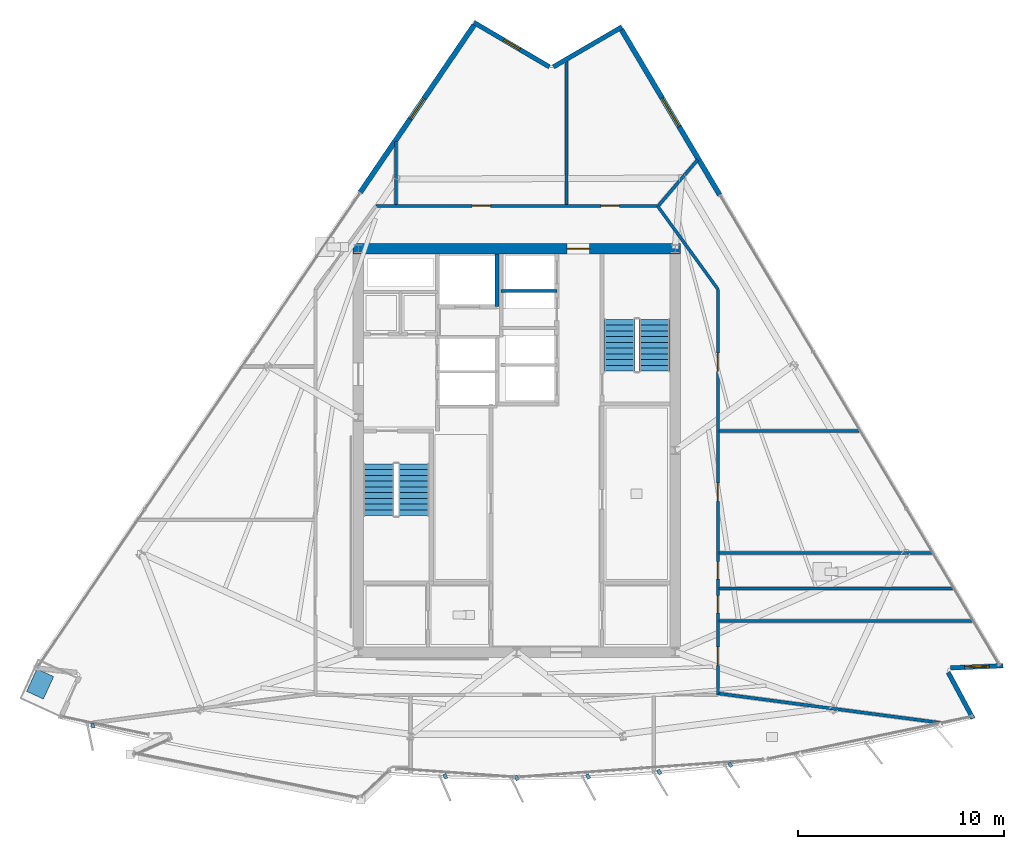
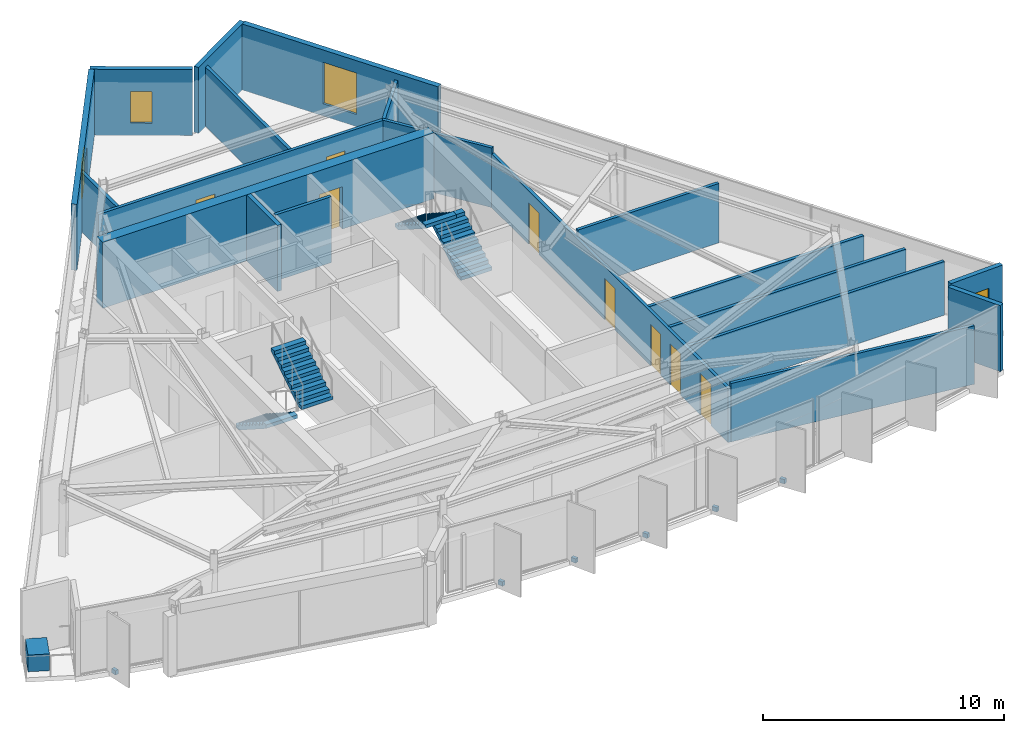
# One storey, part 8 of 13: 20 walls, 8 doors, 7 discrete accessories, 4 stair flights, 4 windows, 12 openings, 2 elements without a shape of their own.
"""IFC4 building model written with IfcOpenShell, lengths in metres."""

from ifc_helpers import new_model, si_unit, direction, frame, frame_2d, origin, origin_2d, place, context, subcontext, project, spatial, polyline, rectangle, outline, extrude, material, layer, layer_set, type_object, element, fill, aggregate, save


model = new_model("IFC4")

# Units and contexts
model_context = context("Model", 3, precision=1e-05, world=origin(), true_north=direction((0.0, 1.0)))
body_context = subcontext(model_context, "Body", "Model", "MODEL_VIEW")
ifc_project = project(units=[si_unit("LENGTHUNIT", "METRE"), si_unit("AREAUNIT", "SQUARE_METRE"), si_unit("VOLUMEUNIT", "CUBIC_METRE"), si_unit("PLANEANGLEUNIT", "RADIAN"), si_unit("MASSUNIT", "GRAM", prefix="KILO")], contexts=[model_context])

# Site, building, storey
site_placement = place(None, origin())
site = spatial("IfcSite", under=ifc_project, at=site_placement, CompositionType="ELEMENT")
building_placement = place(site_placement, origin())
building = spatial("IfcBuilding", under=site, at=building_placement, Name="Savorim Split Tower", CompositionType="ELEMENT")
storey_placement = place(building_placement, frame((0.0, 0.0, 276.0)))
storey = spatial("IfcBuildingStorey", under=building, at=storey_placement, Name="L73", CompositionType="ELEMENT", Elevation=276.0)

# Wall, opening, door
ifc_material_1 = material(Name="Concrete C60/75", Category="concrete")
ifc_layer_1 = layer(ifc_material_1, 0.5)
ifc_layer_set_1 = layer_set([ifc_layer_1], Name="WAL-COR-SH500")
wall_type_1 = type_object("IfcWallType", Name="WAL-COR-SH500", PredefinedType="SHEAR", material=ifc_layer_set_1)
wall_1_placement = place(storey_placement, frame((7.949951171875, 10.199951171875, 0.0), z_axis=(0.0, 0.0, 1.0), x_axis=(-1.0, 0.0, 0.0)))
wall_1 = element("IfcWall", 1, at=wall_1_placement, inside=storey, type_object=wall_type_1, Name="L73 Offset Core North Shear Wall", PredefinedType="SHEAR", context=body_context, shape_type="SweptSolid", body=[
    extrude(rectangle(XDim=15.89990234375, YDim=0.5, at=frame_2d((7.949951171875, 0.0))), origin(), (0.0, 0.0, 1.0), 3.35009765625),
])
opening_1_placement = place(wall_1_placement, frame((4.39990234375, 0.0, 0.0)))
opening_1 = element("IfcOpeningElement", 2, at=opening_1_placement, cuts=wall_1, Name="Opening DI-03", PredefinedType="OPENING", context=body_context, shape_type="SweptSolid", body=[
    extrude(rectangle(XDim=1.10009765625, YDim=2.14990234375, at=frame_2d((0.550048828125, 1.074951171875))), frame((0.0, 0.260009765625, 0.0), z_axis=(0.0, -1.0, 0.0), x_axis=(1.0, 0.0, 0.0)), (0.0, 0.0, 1.0), 0.52001953125),
])
ifc_material_2 = material(Name="Timber Fire Door Leaf", Category="wood")
door_type_1 = type_object("IfcDoorType", Name="DOR-FIR-1100", OperationType="NOTDEFINED", PredefinedType="DOOR", material=ifc_material_2)
door_1_placement = place(opening_1_placement, origin())
door_1 = element("IfcDoor", 3, at=door_1_placement, inside=storey, type_object=door_type_1, Name="DOR-L73-COR-NLOB - L73 North Corridor Lobby Fire Door", OperationType="SINGLE_SWING_RIGHT", OverallHeight=2.14990234375, OverallWidth=1.10009765625, PredefinedType="DOOR", context=body_context, shape_type="SweptSolid", body=[
    extrude(rectangle(XDim=1.10009765625, YDim=2.14990234375, at=frame_2d((0.550048828125, 1.074951171875))), frame((0.0, 0.02490234375, 0.0), z_axis=(0.0, -1.0, 0.0), x_axis=(1.0, 0.0, 0.0)), (0.0, 0.0, 1.0), 0.050048828125),
])
fill(opening_1, door_1)

# Wall
ifc_material_3 = material(Name="Precast concrete C40/50", Category="concrete")
ifc_layer_2 = layer(ifc_material_3, 0.219970703125)
ifc_layer_set_2 = layer_set([ifc_layer_2], Name="WAL-EXT-CRN220")
wall_type_2 = type_object("IfcWallType", Name="WAL-EXT-CRN220", PredefinedType="SOLIDWALL", material=ifc_layer_set_2)
wall_2_placement = place(storey_placement, frame((20.9638671875, -10.380615234375, 0.0), z_axis=(0.0, 0.0, 1.0), x_axis=(0.472728849632, -0.881207940685, 0.0)))
element("IfcWall", 4, at=wall_2_placement, inside=storey, type_object=wall_type_2, Name="L73 Notched Corner Facade Wall SE1", PredefinedType="SOLIDWALL", context=body_context, shape_type="SweptSolid", body=[
    extrude(rectangle(XDim=2.5498046875, YDim=0.219970703125, at=frame_2d((1.27490234375, 0.0))), origin(), (0.0, 0.0, 1.0), 3.35009765625),
])

# Wall, opening, window
wall_3_placement = place(storey_placement, frame((23.630615234375, -10.058837890625, 0.0), z_axis=(0.0, 0.0, 1.0), x_axis=(-0.999098350703, -0.042455690107, 0.0)))
wall_3 = element("IfcWall", 5, at=wall_3_placement, inside=storey, type_object=wall_type_2, Name="L73 Notched Corner Facade Wall SE", PredefinedType="SOLIDWALL", context=body_context, shape_type="SweptSolid", body=[
    extrude(rectangle(XDim=2.54736328125, YDim=0.219970703125, at=frame_2d((1.273681640625, 0.0))), origin(), (0.0, 0.0, 1.0), 3.35009765625),
])
opening_2_placement = place(wall_3_placement, frame((0.673583984375, 0.0, 0.6201171875)))
opening_2 = element("IfcOpeningElement", 6, at=opening_2_placement, cuts=wall_3, Name="Opening WN-08", PredefinedType="OPENING", context=body_context, shape_type="SweptSolid", body=[
    extrude(rectangle(XDim=1.199951171875, YDim=1.800048828125, at=frame_2d((0.60009765625, 0.89990234375))), frame((0.0, 0.119873046875, 0.0), z_axis=(0.0, -1.0, 0.0), x_axis=(1.0, 0.0, 0.0)), (0.0, 0.0, 1.0), 0.239990234375),
])
ifc_material_4 = material(Name="Low-E Operable Double Glazing", Category="glass")
window_type_1 = type_object("IfcWindowType", Name="WIN-TWR-1200x1800", PartitioningType="SINGLE_PANEL", PredefinedType="WINDOW", material=ifc_material_4)
window_1_placement = place(opening_2_placement, origin())
window_1 = element("IfcWindow", 7, at=window_1_placement, inside=storey, type_object=window_type_1, Name="L73 Operable Corner Window SE", OverallHeight=1.800048828125, OverallWidth=1.199951171875, PartitioningType="SINGLE_PANEL", PredefinedType="WINDOW", context=body_context, shape_type="SweptSolid", body=[
    extrude(rectangle(XDim=1.199951171875, YDim=1.800048828125, at=frame_2d((0.60009765625, 0.89990234375))), frame((0.0, 0.030029296875, 0.0), z_axis=(0.0, -1.0, 0.0), x_axis=(1.0, 0.0, 0.0)), (0.0, 0.0, 1.0), 0.06005859375),
])
fill(opening_2, window_1)

# Wall
wall_4_placement = place(storey_placement, frame((1.78271484375, 19.031005859375, 0.0), z_axis=(0.0, 0.0, 1.0), x_axis=(0.863972097652, 0.503539685108, 0.0)))
element("IfcWall", 8, at=wall_4_placement, inside=storey, type_object=wall_type_2, Name="L73 Notched Corner Facade Wall NE1", PredefinedType="SOLIDWALL", context=body_context, shape_type="SweptSolid", body=[
    extrude(rectangle(XDim=3.8486328125, YDim=0.219970703125, at=frame_2d((1.92431640625, 0.0))), origin(), (0.0, 0.0, 1.0), 3.35009765625),
])

# Wall, opening, window
wall_5_placement = place(storey_placement, frame((-2.073974609375, 21.186279296875, 0.0), z_axis=(0.0, 0.0, 1.0), x_axis=(0.862137800155, -0.506673872964, 0.0)))
wall_5 = element("IfcWall", 9, at=wall_5_placement, inside=storey, type_object=wall_type_2, Name="L73 Notched Corner Facade Wall N", PredefinedType="SOLIDWALL", context=body_context, shape_type="SweptSolid", body=[
    extrude(rectangle(XDim=4.252685546875, YDim=0.219970703125, at=frame_2d((2.12646484375, 0.0))), origin(), (0.0, 0.0, 1.0), 3.35009765625),
])
opening_3_placement = place(wall_5_placement, frame((1.676513671875, 0.0, 0.6201171875)))
opening_3 = element("IfcOpeningElement", 10, at=opening_3_placement, cuts=wall_5, Name="Opening WN-10", PredefinedType="OPENING", context=body_context, shape_type="SweptSolid", body=[
    extrude(rectangle(XDim=0.89990234375, YDim=1.60009765625, at=frame_2d((0.449951171875, 0.800048828125))), frame((0.0, 0.119873046875, 0.0), z_axis=(0.0, -1.0, 0.0), x_axis=(1.0, 0.0, 0.0)), (0.0, 0.0, 1.0), 0.239990234375),
])
window_type_2 = type_object("IfcWindowType", Name="WIN-TWR-900x1600", PartitioningType="SINGLE_PANEL", PredefinedType="WINDOW", material=ifc_material_4)
window_2_placement = place(opening_3_placement, origin())
window_2 = element("IfcWindow", 11, at=window_2_placement, inside=storey, type_object=window_type_2, Name="L73 Operable Corner Window N", OverallHeight=1.60009765625, OverallWidth=0.89990234375, PartitioningType="SINGLE_PANEL", PredefinedType="WINDOW", context=body_context, shape_type="SweptSolid", body=[
    extrude(rectangle(XDim=0.89990234375, YDim=1.60009765625, at=frame_2d((0.449951171875, 0.800048828125))), frame((0.0, 0.030029296875, 0.0), z_axis=(0.0, -1.0, 0.0), x_axis=(1.0, 0.0, 0.0)), (0.0, 0.0, 1.0), 0.06005859375),
])
fill(opening_3, window_2)

ifc_layer_3 = layer(ifc_material_3, 0.25)
ifc_layer_set_3 = layer_set([ifc_layer_3], Name="WAL-EXT-SPN250")
wall_type_3 = type_object("IfcWallType", Name="WAL-EXT-SPN250", PredefinedType="SOLIDWALL", material=ifc_layer_set_3)
wall_6_placement = place(storey_placement, frame((5.09130859375, 20.84228515625, 0.0), z_axis=(0.0, 0.0, 1.0), x_axis=(0.511095217069, -0.859524100354, 0.0)))
wall_6 = element("IfcWall", 12, at=wall_6_placement, inside=storey, type_object=wall_type_3, Name="L73 East Operable Window Pier", PredefinedType="SOLIDWALL", context=body_context, shape_type="SweptSolid", body=[
    extrude(rectangle(XDim=9.344482421875, YDim=0.25, at=frame_2d((4.67236328125, 0.0))), origin(), (0.0, 0.0, 1.0), 3.35009765625),
])
opening_4_placement = place(wall_6_placement, frame((3.872314453125, 0.0, 0.6201171875)))
opening_4 = element("IfcOpeningElement", 13, at=opening_4_placement, cuts=wall_6, Name="Opening WN-05", PredefinedType="OPENING", context=body_context, shape_type="SweptSolid", body=[
    extrude(rectangle(XDim=1.60009765625, YDim=2.10009765625, at=frame_2d((0.800048828125, 1.050048828125))), frame((0.0, 0.135009765625, 0.0), z_axis=(0.0, -1.0, 0.0), x_axis=(1.0, 0.0, 0.0)), (0.0, 0.0, 1.0), 0.27001953125),
])
window_type_3 = type_object("IfcWindowType", Name="WIN-TWR-1600x2100", PartitioningType="DOUBLE_PANEL_VERTICAL", PredefinedType="WINDOW", material=ifc_material_4)
window_3_placement = place(opening_4_placement, origin())
window_3 = element("IfcWindow", 14, at=window_3_placement, inside=storey, type_object=window_type_3, Name="L73 East Operable Ventilation Window", OverallHeight=2.10009765625, OverallWidth=1.60009765625, PartitioningType="SINGLE_PANEL", PredefinedType="WINDOW", context=body_context, shape_type="SweptSolid", body=[
    extrude(rectangle(XDim=1.60009765625, YDim=2.10009765625, at=frame_2d((0.800048828125, 1.050048828125))), frame((0.0, 0.030029296875, 0.0), z_axis=(0.0, -1.0, 0.0), x_axis=(1.0, 0.0, 0.0)), (0.0, 0.0, 1.0), 0.06005859375),
])
fill(opening_4, window_3)

wall_7_placement = place(storey_placement, frame((-7.59326171875, 12.944580078125, 0.0), z_axis=(0.0, 0.0, 1.0), x_axis=(0.562476003565, 0.826813609838, 0.0)))
wall_7 = element("IfcWall", 15, at=wall_7_placement, inside=storey, type_object=wall_type_3, Name="L73 West Operable Window Pier", PredefinedType="SOLIDWALL", context=body_context, shape_type="SweptSolid", body=[
    extrude(rectangle(XDim=9.81591796875, YDim=0.25, at=frame_2d((4.907958984375, 0.0))), origin(), (0.0, 0.0, 1.0), 3.35009765625),
])
opening_5_placement = place(wall_7_placement, frame((4.30810546875, 0.0, 0.6201171875)))
opening_5 = element("IfcOpeningElement", 16, at=opening_5_placement, cuts=wall_7, Name="Opening WN-08", PredefinedType="OPENING", context=body_context, shape_type="SweptSolid", body=[
    extrude(rectangle(XDim=1.199951171875, YDim=1.800048828125, at=frame_2d((0.60009765625, 0.89990234375))), frame((0.0, 0.135009765625, 0.0), z_axis=(0.0, -1.0, 0.0), x_axis=(1.0, 0.0, 0.0)), (0.0, 0.0, 1.0), 0.27001953125),
])
window_4_placement = place(opening_5_placement, origin())
window_4 = element("IfcWindow", 17, at=window_4_placement, inside=storey, type_object=window_type_1, Name="L73 West Operable Ventilation Window", OverallHeight=1.800048828125, OverallWidth=1.199951171875, PartitioningType="SINGLE_PANEL", PredefinedType="WINDOW", context=body_context, shape_type="SweptSolid", body=[
    extrude(rectangle(XDim=1.199951171875, YDim=1.800048828125, at=frame_2d((0.60009765625, 0.89990234375))), frame((0.0, 0.030029296875, 0.0), z_axis=(0.0, -1.0, 0.0), x_axis=(1.0, 0.0, 0.0)), (0.0, 0.0, 1.0), 0.06005859375),
])
fill(opening_5, window_4)

# Walls
ifc_material_5 = material(Name="Concrete C50/60", Category="concrete")
ifc_layer_4 = layer(ifc_material_5, 0.199951171875)
ifc_layer_set_4 = layer_set([ifc_layer_4], Name="WAL-INT-RC200")
wall_type_4 = type_object("IfcWallType", Name="WAL-INT-RC200", PredefinedType="SOLIDWALL", material=ifc_layer_set_4)
wall_8_placement = place(storey_placement, frame((-0.949951171875, 7.3798828125, 0.0), z_axis=(0.0, 0.0, 1.0), x_axis=(0.0, 1.0, 0.0)))
element("IfcWall", 18, at=wall_8_placement, inside=storey, type_object=wall_type_4, Name="L73 Partition W-L73-SVLE", PredefinedType="SOLIDWALL", context=body_context, shape_type="SweptSolid", body=[
    extrude(rectangle(XDim=2.565185546875, YDim=0.199951171875, at=frame_2d((1.28271484375, 0.0))), origin(), (0.0, 0.0, 1.0), 3.35009765625),
])
ifc_material_6 = material(Name="Acoustic Gypsum Partition Board")
ifc_layer_5 = layer(ifc_material_6, 0.14990234375)
ifc_layer_set_5 = layer_set([ifc_layer_5], Name="WAL-PAR-150")
wall_type_5 = type_object("IfcWallType", Name="WAL-PAR-150", PredefinedType="PARTITIONING", material=ifc_layer_set_5)
wall_9_placement = place(storey_placement, frame((-0.75, 8.14990234375, 0.0), z_axis=(0.0, 0.0, 1.0), x_axis=(1.0, 0.0, 0.0)))
element("IfcWall", 19, at=wall_9_placement, inside=storey, type_object=wall_type_5, Name="L73 Partition W-L73-B3DIV3", PredefinedType="PARTITIONING", context=body_context, shape_type="SweptSolid", body=[
    extrude(rectangle(XDim=2.699951171875, YDim=0.14990234375, at=frame_2d((1.35009765625, 0.0))), origin(), (0.0, 0.0, 1.0), 3.35009765625),
])

# Wall, openings, doors
wall_10_placement = place(storey_placement, frame((-6.8408203125, 12.280029296875, 0.0), z_axis=(0.0, 0.0, 1.0), x_axis=(1.0, 0.0, 0.0)))
wall_10 = element("IfcWall", 20, at=wall_10_placement, inside=storey, type_object=wall_type_5, Name="L73 Partition W-L73-COR-03", PredefinedType="PARTITIONING", context=body_context, shape_type="SweptSolid", body=[
    extrude(rectangle(XDim=13.681640625, YDim=0.14990234375, at=frame_2d((6.8408203125, 0.0))), origin(), (0.0, 0.0, 1.0), 3.014892578125),
])
opening_6_placement = place(wall_10_placement, frame((10.93408203125, 0.0, 0.0)))
opening_6 = element("IfcOpeningElement", 21, at=opening_6_placement, cuts=wall_10, Name="Opening DI-06", PredefinedType="OPENING", context=body_context, shape_type="SweptSolid", body=[
    extrude(rectangle(XDim=0.89990234375, YDim=2.10009765625, at=frame_2d((0.449951171875, 1.050048828125))), frame((0.0, 0.0849609375, 0.0), z_axis=(0.0, -1.0, 0.0), x_axis=(1.0, 0.0, 0.0)), (0.0, 0.0, 1.0), 0.169921875),
])
opening_7_placement = place(wall_10_placement, frame((4.676513671875, 0.0, 0.0)))
opening_7 = element("IfcOpeningElement", 22, at=opening_7_placement, cuts=wall_10, Name="Opening DI-06", PredefinedType="OPENING", context=body_context, shape_type="SweptSolid", body=[
    extrude(rectangle(XDim=0.89990234375, YDim=2.10009765625, at=frame_2d((0.449951171875, 1.050048828125))), frame((0.0, 0.0849609375, 0.0), z_axis=(0.0, -1.0, 0.0), x_axis=(1.0, 0.0, 0.0)), (0.0, 0.0, 1.0), 0.169921875),
])
door_type_2 = type_object("IfcDoorType", Name="DOR-FIR-900", OperationType="NOTDEFINED", PredefinedType="DOOR", material=ifc_material_2)
door_2_placement = place(opening_6_placement, origin())
door_2 = element("IfcDoor", 23, at=door_2_placement, inside=storey, type_object=door_type_2, Name="DR-L73-RM11 - L73 Quiet Study Room Entry Door", OperationType="SINGLE_SWING_RIGHT", OverallHeight=2.10009765625, OverallWidth=0.89990234375, PredefinedType="DOOR", context=body_context, shape_type="SweptSolid", body=[
    extrude(rectangle(XDim=0.89990234375, YDim=2.10009765625, at=frame_2d((0.449951171875, 1.050048828125))), frame((0.0, 0.02490234375, 0.0), z_axis=(0.0, -1.0, 0.0), x_axis=(1.0, 0.0, 0.0)), (0.0, 0.0, 1.0), 0.050048828125),
])
fill(opening_6, door_2)
door_3_placement = place(opening_7_placement, origin())
door_3 = element("IfcDoor", 24, at=door_3_placement, inside=storey, type_object=door_type_2, Name="DR-L73-RM12 - L73 Quiet Study Room Entry Door", OperationType="SINGLE_SWING_LEFT", OverallHeight=2.10009765625, OverallWidth=0.89990234375, PredefinedType="DOOR", context=body_context, shape_type="SweptSolid", body=[
    extrude(rectangle(XDim=0.89990234375, YDim=2.10009765625, at=frame_2d((0.449951171875, 1.050048828125))), frame((0.0, 0.02490234375, 0.0), z_axis=(0.0, -1.0, 0.0), x_axis=(1.0, 0.0, 0.0)), (0.0, 0.0, 1.0), 0.050048828125),
])
fill(opening_7, door_3)

# Wall
wall_11_placement = place(storey_placement, frame((6.8408203125, 12.280029296875, 0.0), z_axis=(0.0, 0.0, 1.0), x_axis=(0.586956386413, -0.809618552436, 0.0)))
element("IfcWall", 25, at=wall_11_placement, inside=storey, type_object=wall_type_5, Name="L73 Partition W-L73-COR-04", PredefinedType="PARTITIONING", context=body_context, shape_type="SweptSolid", body=[
    extrude(rectangle(XDim=5.007568359375, YDim=0.14990234375, at=frame_2d((2.50390625, 0.0))), origin(), (0.0, 0.0, 1.0), 3.02490234375),
])

# Wall, openings, doors
wall_12_placement = place(storey_placement, frame((9.780029296875, 8.225830078125, 0.0), z_axis=(0.0, 0.0, 1.0), x_axis=(0.0, -1.0, 0.0)))
wall_12 = element("IfcWall", 26, at=wall_12_placement, inside=storey, type_object=wall_type_5, Name="L73 Partition W-L73-COR-05", PredefinedType="PARTITIONING", context=body_context, shape_type="SweptSolid", body=[
    extrude(rectangle(XDim=19.705810546875, YDim=0.14990234375, at=frame_2d((9.85302734375, 0.0))), origin(), (0.0, 0.0, 1.0), 2.72509765625),
])
opening_8_placement = place(wall_12_placement, frame((17.37158203125, 0.0, 0.0)))
opening_8 = element("IfcOpeningElement", 27, at=opening_8_placement, cuts=wall_12, Name="Opening DI-06", PredefinedType="OPENING", context=body_context, shape_type="SweptSolid", body=[
    extrude(rectangle(XDim=0.89990234375, YDim=2.10009765625, at=frame_2d((0.449951171875, 1.050048828125))), frame((0.0, 0.0849609375, 0.0), z_axis=(0.0, -1.0, 0.0), x_axis=(1.0, 0.0, 0.0)), (0.0, 0.0, 1.0), 0.169921875),
])
opening_9_placement = place(wall_12_placement, frame((14.877197265625, 0.0, 0.0)))
opening_9 = element("IfcOpeningElement", 28, at=opening_9_placement, cuts=wall_12, Name="Opening DI-13", PredefinedType="OPENING", context=body_context, shape_type="SweptSolid", body=[
    extrude(rectangle(XDim=0.85009765625, YDim=2.10009765625, at=frame_2d((0.425048828125, 1.050048828125))), frame((0.0, 0.0849609375, 0.0), z_axis=(0.0, -1.0, 0.0), x_axis=(1.0, 0.0, 0.0)), (0.0, 0.0, 1.0), 0.169921875),
])
opening_10_placement = place(wall_12_placement, frame((13.2275390625, 0.0, 0.0)))
opening_10 = element("IfcOpeningElement", 29, at=opening_10_placement, cuts=wall_12, Name="Opening DI-13", PredefinedType="OPENING", context=body_context, shape_type="SweptSolid", body=[
    extrude(rectangle(XDim=0.85009765625, YDim=2.10009765625, at=frame_2d((0.425048828125, 1.050048828125))), frame((0.0, 0.0849609375, 0.0), z_axis=(0.0, -1.0, 0.0), x_axis=(1.0, 0.0, 0.0)), (0.0, 0.0, 1.0), 0.169921875),
])
opening_11_placement = place(wall_12_placement, frame((9.402099609375, 0.0, 0.0)))
opening_11 = element("IfcOpeningElement", 30, at=opening_11_placement, cuts=wall_12, Name="Opening DI-06", PredefinedType="OPENING", context=body_context, shape_type="SweptSolid", body=[
    extrude(rectangle(XDim=0.89990234375, YDim=2.10009765625, at=frame_2d((0.449951171875, 1.050048828125))), frame((0.0, 0.0849609375, 0.0), z_axis=(0.0, -1.0, 0.0), x_axis=(1.0, 0.0, 0.0)), (0.0, 0.0, 1.0), 0.169921875),
])
opening_12_placement = place(wall_12_placement, frame((3.0830078125, 0.0, 0.0)))
opening_12 = element("IfcOpeningElement", 31, at=opening_12_placement, cuts=wall_12, Name="Opening DI-06", PredefinedType="OPENING", context=body_context, shape_type="SweptSolid", body=[
    extrude(rectangle(XDim=0.89990234375, YDim=2.10009765625, at=frame_2d((0.449951171875, 1.050048828125))), frame((0.0, 0.0849609375, 0.0), z_axis=(0.0, -1.0, 0.0), x_axis=(1.0, 0.0, 0.0)), (0.0, 0.0, 1.0), 0.169921875),
])
door_type_3 = type_object("IfcDoorType", Name="DOR-FIR-850", OperationType="NOTDEFINED", PredefinedType="DOOR", material=ifc_material_2)
door_4_placement = place(opening_9_placement, origin())
door_4 = element("IfcDoor", 32, at=door_4_placement, inside=storey, type_object=door_type_3, Name="DR-L73-RM07 - L73 Co-Living Bedroom Entry Door", OperationType="SINGLE_SWING_RIGHT", OverallHeight=2.10009765625, OverallWidth=0.85009765625, PredefinedType="DOOR", context=body_context, shape_type="SweptSolid", body=[
    extrude(rectangle(XDim=0.85009765625, YDim=2.10009765625, at=frame_2d((0.425048828125, 1.050048828125))), frame((0.0, 0.02490234375, 0.0), z_axis=(0.0, -1.0, 0.0), x_axis=(1.0, 0.0, 0.0)), (0.0, 0.0, 1.0), 0.050048828125),
])
fill(opening_9, door_4)
door_5_placement = place(opening_10_placement, origin())
door_5 = element("IfcDoor", 33, at=door_5_placement, inside=storey, type_object=door_type_3, Name="DR-L73-RM08 - L73 Shared Bathroom Entry Door", OperationType="SINGLE_SWING_LEFT", OverallHeight=2.10009765625, OverallWidth=0.85009765625, PredefinedType="DOOR", context=body_context, shape_type="SweptSolid", body=[
    extrude(rectangle(XDim=0.85009765625, YDim=2.10009765625, at=frame_2d((0.425048828125, 1.050048828125))), frame((0.0, 0.02490234375, 0.0), z_axis=(0.0, -1.0, 0.0), x_axis=(1.0, 0.0, 0.0)), (0.0, 0.0, 1.0), 0.050048828125),
])
fill(opening_10, door_5)
door_6_placement = place(opening_8_placement, origin())
door_6 = element("IfcDoor", 34, at=door_6_placement, inside=storey, type_object=door_type_2, Name="DR-L73-RM06 - L73 Quiet Study Room Entry Door", OperationType="SINGLE_SWING_LEFT", OverallHeight=2.10009765625, OverallWidth=0.89990234375, PredefinedType="DOOR", context=body_context, shape_type="SweptSolid", body=[
    extrude(rectangle(XDim=0.89990234375, YDim=2.10009765625, at=frame_2d((0.449951171875, 1.050048828125))), frame((0.0, 0.02490234375, 0.0), z_axis=(0.0, -1.0, 0.0), x_axis=(1.0, 0.0, 0.0)), (0.0, 0.0, 1.0), 0.050048828125),
])
fill(opening_8, door_6)
door_7_placement = place(opening_11_placement, origin())
door_7 = element("IfcDoor", 35, at=door_7_placement, inside=storey, type_object=door_type_2, Name="DR-L73-RM09 - L73 Quiet Study Room Entry Door", OperationType="SINGLE_SWING_RIGHT", OverallHeight=2.10009765625, OverallWidth=0.89990234375, PredefinedType="DOOR", context=body_context, shape_type="SweptSolid", body=[
    extrude(rectangle(XDim=0.89990234375, YDim=2.10009765625, at=frame_2d((0.449951171875, 1.050048828125))), frame((0.0, 0.02490234375, 0.0), z_axis=(0.0, -1.0, 0.0), x_axis=(1.0, 0.0, 0.0)), (0.0, 0.0, 1.0), 0.050048828125),
])
fill(opening_11, door_7)
door_8_placement = place(opening_12_placement, origin())
door_8 = element("IfcDoor", 36, at=door_8_placement, inside=storey, type_object=door_type_2, Name="DR-L73-RM10 - L73 Quiet Study Room Entry Door", OperationType="SINGLE_SWING_LEFT", OverallHeight=2.10009765625, OverallWidth=0.89990234375, PredefinedType="DOOR", context=body_context, shape_type="SweptSolid", body=[
    extrude(rectangle(XDim=0.89990234375, YDim=2.10009765625, at=frame_2d((0.449951171875, 1.050048828125))), frame((0.0, 0.02490234375, 0.0), z_axis=(0.0, -1.0, 0.0), x_axis=(1.0, 0.0, 0.0)), (0.0, 0.0, 1.0), 0.050048828125),
])
fill(opening_12, door_8)

# Walls
wall_13_placement = place(storey_placement, frame((9.839111328125, -11.413818359375, 0.0), z_axis=(0.0, 0.0, 1.0), x_axis=(0.991382590764, -0.130998315755, 0.0)))
element("IfcWall", 37, at=wall_13_placement, inside=storey, type_object=wall_type_5, Name="L73 Partition W-L73-PRAD04", PredefinedType="PARTITIONING", context=body_context, shape_type="SweptSolid", body=[
    extrude(rectangle(XDim=10.951171875, YDim=0.14990234375, at=frame_2d((5.4755859375, 0.0))), origin(), (0.0, 0.0, 1.0), 2.965087890625),
])
wall_14_placement = place(storey_placement, frame((9.840087890625, -4.59033203125, 0.0), z_axis=(0.0, 0.0, 1.0), x_axis=(1.0, 0.0, 0.0)))
element("IfcWall", 38, at=wall_14_placement, inside=storey, type_object=wall_type_5, Name="L73 Partition W-L73-PRAD05", PredefinedType="PARTITIONING", context=body_context, shape_type="SweptSolid", body=[
    extrude(rectangle(XDim=10.31591796875, YDim=0.14990234375, at=frame_2d((5.157958984375, 0.0))), origin(), (0.0, 0.0, 1.0), 2.72509765625),
])
wall_15_placement = place(storey_placement, frame((6.895263671875, 12.302001953125, 0.0), z_axis=(0.0, 0.0, 1.0), x_axis=(0.65001263213, 0.759923402766, 0.0)))
element("IfcWall", 39, at=wall_15_placement, inside=storey, type_object=wall_type_5, Name="L73 Partition W-L73-PRAD07", PredefinedType="PARTITIONING", context=body_context, shape_type="SweptSolid", body=[
    extrude(rectangle(XDim=2.918701171875, YDim=0.14990234375, at=frame_2d((1.45947265625, 0.0))), origin(), (0.0, 0.0, 1.0), 3.014892578125),
])
wall_16_placement = place(storey_placement, frame((-5.852783203125, 12.340087890625, 0.0), z_axis=(0.0, 0.0, 1.0), x_axis=(0.0, 1.0, 0.0)))
element("IfcWall", 40, at=wall_16_placement, inside=storey, type_object=wall_type_5, Name="L73 Partition W-L73-PRAD08", PredefinedType="PARTITIONING", context=body_context, shape_type="SweptSolid", body=[
    extrude(rectangle(XDim=3.073974609375, YDim=0.14990234375, at=frame_2d((1.537109375, 0.0))), origin(), (0.0, 0.0, 1.0), 3.014892578125),
])
wall_17_placement = place(storey_placement, frame((9.840087890625, -7.8896484375, 0.0), z_axis=(0.0, 0.0, 1.0), x_axis=(1.0, 0.0, 0.0)))
element("IfcWall", 41, at=wall_17_placement, inside=storey, type_object=wall_type_5, Name="L73 Partition W-L73-SUB01", PredefinedType="PARTITIONING", context=body_context, shape_type="SweptSolid", body=[
    extrude(rectangle(XDim=12.27783203125, YDim=0.14990234375, at=frame_2d((6.138916015625, 0.0))), origin(), (0.0, 0.0, 1.0), 2.72509765625),
])
wall_18_placement = place(storey_placement, frame((2.424072265625, 12.340087890625, 0.0), z_axis=(0.0, 0.0, 1.0), x_axis=(0.0, 1.0, 0.0)))
element("IfcWall", 42, at=wall_18_placement, inside=storey, type_object=wall_type_5, Name="L73 Partition W-L73-SUB02", PredefinedType="PARTITIONING", context=body_context, shape_type="SweptSolid", body=[
    extrude(rectangle(XDim=7.0068359375, YDim=0.14990234375, at=frame_2d((3.50341796875, 0.0))), origin(), (0.0, 0.0, 1.0), 3.014892578125),
])
wall_19_placement = place(storey_placement, frame((9.840087890625, -6.31298828125, 0.0), z_axis=(0.0, 0.0, 1.0), x_axis=(1.0, 0.0, 0.0)))
element("IfcWall", 43, at=wall_19_placement, inside=storey, type_object=wall_type_5, Name="L73 Partition W-L73-SUB05", PredefinedType="PARTITIONING", context=body_context, shape_type="SweptSolid", body=[
    extrude(rectangle(XDim=11.34033203125, YDim=0.14990234375, at=frame_2d((5.670166015625, 0.0))), origin(), (0.0, 0.0, 1.0), 2.72509765625),
])
wall_20_placement = place(storey_placement, frame((9.840087890625, 1.338134765625, 0.0), z_axis=(0.0, 0.0, 1.0), x_axis=(1.0, 0.0, 0.0)))
element("IfcWall", 44, at=wall_20_placement, inside=storey, type_object=wall_type_5, Name="L73 Partition W-L73-SUB06", PredefinedType="PARTITIONING", context=body_context, shape_type="SweptSolid", body=[
    extrude(rectangle(XDim=6.79052734375, YDim=0.14990234375, at=frame_2d((3.395263671875, 0.0))), origin(), (0.0, 0.0, 1.0), 3.014892578125),
])

# Stair, stair flights
stair_type = type_object("IfcStairType", Name="STR-DOG-3600", PredefinedType="HALF_TURN_STAIR", material=ifc_material_5)
stair_1_placement = place(storey_placement, origin())
stair_1 = element("IfcStair", 45, at=stair_1_placement, inside=storey, type_object=stair_type, Name="L73 Core Protected Exit Stair ST-1", PredefinedType="HALF_TURN_STAIR")
stair_flight_type = type_object("IfcStairFlightType", Name="SFL-DOG-3600", PredefinedType="STRAIGHT", material=ifc_material_5)
stair_flight_1_placement = place(storey_placement, frame((-6.699951171875, -0.25, 0.0), z_axis=(0.0, 0.0, 1.0), x_axis=(0.0, -1.0, 0.0)))
stair_flight_1 = element("IfcStairFlight", 46, at=stair_flight_1_placement, type_object=stair_flight_type, Name="ST-1 flight 1", NumberOfRisers=10, NumberOfTreads=9, PredefinedType="STRAIGHT", RiserHeight=0.18, TreadLength=0.28, context=body_context, shape_type="SweptSolid", body=[
    extrude(outline(polyline([(0.0, 0.0), (0.0, 0.179931640625), (0.280029296875, 0.179931640625), (0.280029296875, 0.360107421875), (0.56005859375, 0.360107421875), (0.56005859375, 0.5400390625), (0.840087890625, 0.5400390625), (0.840087890625, 0.719970703125), (1.1201171875, 0.719970703125), (1.1201171875, 0.89990234375), (1.39990234375, 0.89990234375), (1.39990234375, 1.080078125), (1.679931640625, 1.080078125), (1.679931640625, 1.260009765625), (1.9599609375, 1.260009765625), (1.9599609375, 1.43994140625), (2.239990234375, 1.43994140625), (2.239990234375, 1.6201171875), (2.52001953125, 1.6201171875), (2.52001953125, 1.800048828125), (2.52001953125, 1.44189453125), (0.277099609375, 0.0), (0.0, 0.0)])), frame((0.0, 0.75, 0.0), z_axis=(0.0, -1.0, 0.0), x_axis=(1.0, 0.0, 0.0)), (0.0, 0.0, 1.0), 1.5),
])
stair_flight_2_placement = place(storey_placement, frame((-5.0, -2.77001953125, 1.800048828125), z_axis=(0.0, 0.0, 1.0), x_axis=(0.0, 1.0, 0.0)))
stair_flight_2 = element("IfcStairFlight", 47, at=stair_flight_2_placement, type_object=stair_flight_type, Name="ST-1 flight 2", NumberOfRisers=10, NumberOfTreads=9, PredefinedType="STRAIGHT", RiserHeight=0.18, TreadLength=0.28, context=body_context, shape_type="SweptSolid", body=[
    extrude(outline(polyline([(0.0, 0.0), (0.0, 0.179931640625), (0.280029296875, 0.179931640625), (0.280029296875, 0.360107421875), (0.56005859375, 0.360107421875), (0.56005859375, 0.5400390625), (0.840087890625, 0.5400390625), (0.840087890625, 0.719970703125), (1.1201171875, 0.719970703125), (1.1201171875, 0.89990234375), (1.39990234375, 0.89990234375), (1.39990234375, 1.080078125), (1.679931640625, 1.080078125), (1.679931640625, 1.260009765625), (1.9599609375, 1.260009765625), (1.9599609375, 1.43994140625), (2.239990234375, 1.43994140625), (2.239990234375, 1.6201171875), (2.52001953125, 1.6201171875), (2.52001953125, 1.800048828125), (2.52001953125, 1.44189453125), (0.277099609375, 0.0), (0.0, 0.0)])), frame((0.0, 0.75, 0.0), z_axis=(0.0, -1.0, 0.0), x_axis=(1.0, 0.0, 0.0)), (0.0, 0.0, 1.0), 1.5),
])
aggregate(stair_1, [stair_flight_1, stair_flight_2])

stair_2_placement = place(storey_placement, origin())
stair_2 = element("IfcStair", 48, at=stair_2_placement, inside=storey, type_object=stair_type, Name="L73 Core Protected Exit Stair ST-2", PredefinedType="HALF_TURN_STAIR")
stair_flight_3_placement = place(storey_placement, frame((6.699951171875, 4.25, 0.0), z_axis=(0.0, 0.0, 1.0), x_axis=(0.0, 1.0, 0.0)))
stair_flight_3 = element("IfcStairFlight", 49, at=stair_flight_3_placement, type_object=stair_flight_type, Name="ST-2 flight 1", NumberOfRisers=10, NumberOfTreads=9, PredefinedType="STRAIGHT", RiserHeight=0.18, TreadLength=0.28, context=body_context, shape_type="SweptSolid", body=[
    extrude(outline(polyline([(0.0, 0.0), (0.0, 0.179931640625), (0.280029296875, 0.179931640625), (0.280029296875, 0.360107421875), (0.56005859375, 0.360107421875), (0.56005859375, 0.5400390625), (0.840087890625, 0.5400390625), (0.840087890625, 0.719970703125), (1.1201171875, 0.719970703125), (1.1201171875, 0.89990234375), (1.39990234375, 0.89990234375), (1.39990234375, 1.080078125), (1.679931640625, 1.080078125), (1.679931640625, 1.260009765625), (1.9599609375, 1.260009765625), (1.9599609375, 1.43994140625), (2.239990234375, 1.43994140625), (2.239990234375, 1.6201171875), (2.52001953125, 1.6201171875), (2.52001953125, 1.800048828125), (2.52001953125, 1.44189453125), (0.277099609375, 0.0), (0.0, 0.0)])), frame((0.0, 0.75, 0.0), z_axis=(0.0, -1.0, 0.0), x_axis=(1.0, 0.0, 0.0)), (0.0, 0.0, 1.0), 1.5),
])
stair_flight_4_placement = place(storey_placement, frame((5.0, 6.77001953125, 1.800048828125), z_axis=(0.0, 0.0, 1.0), x_axis=(0.0, -1.0, 0.0)))
stair_flight_4 = element("IfcStairFlight", 50, at=stair_flight_4_placement, type_object=stair_flight_type, Name="ST-2 flight 2", NumberOfRisers=10, NumberOfTreads=9, PredefinedType="STRAIGHT", RiserHeight=0.18, TreadLength=0.28, context=body_context, shape_type="SweptSolid", body=[
    extrude(outline(polyline([(0.0, 0.0), (0.0, 0.179931640625), (0.280029296875, 0.179931640625), (0.280029296875, 0.360107421875), (0.56005859375, 0.360107421875), (0.56005859375, 0.5400390625), (0.840087890625, 0.5400390625), (0.840087890625, 0.719970703125), (1.1201171875, 0.719970703125), (1.1201171875, 0.89990234375), (1.39990234375, 0.89990234375), (1.39990234375, 1.080078125), (1.679931640625, 1.080078125), (1.679931640625, 1.260009765625), (1.9599609375, 1.260009765625), (1.9599609375, 1.43994140625), (2.239990234375, 1.43994140625), (2.239990234375, 1.6201171875), (2.52001953125, 1.6201171875), (2.52001953125, 1.800048828125), (2.52001953125, 1.44189453125), (0.277099609375, 0.0), (0.0, 0.0)])), frame((0.0, 0.75, 0.0), z_axis=(0.0, -1.0, 0.0), x_axis=(1.0, 0.0, 0.0)), (0.0, 0.0, 1.0), 1.5),
])
aggregate(stair_2, [stair_flight_3, stair_flight_4])

# Discrete accessories
ifc_material_7 = material(Name="Steel S355", Category="steel")
discrete_accessory_type_1 = type_object("IfcDiscreteAccessoryType", Name="ACC-BRK-FIN", PredefinedType="BRACKET", material=ifc_material_7)
for number, where, z_axis, x_axis, name in (
    (51, (-20.595703125, -12.967529296875, -0.18994140625), (0.0, 0.0, 1.0), (0.206721626106, -0.978399800337, 0.0), "L73 Fin Slab-Edge Cleat Bracket 01"),
    (52, (-3.46630859375, -15.43798828125, -0.18994140625), (0.0, 0.0, 1.0), (0.401230091723, -0.915977299662, 0.0), "L73 Fin Slab-Edge Cleat Bracket 06"),
    (53, (0.0, -15.509033203125, -0.18994140625), (0.0, 0.0, 1.0), (0.438371146789, -0.898794046299, 0.0), "L73 Fin Slab-Edge Cleat Bracket 07"),
    (54, (3.46630859375, -15.43798828125, -0.18994140625), (0.0, 0.0, 1.0), (0.474778051978, -0.880105562623, 0.0), "L73 Fin Slab-Edge Cleat Bracket 08"),
    (55, (6.927001953125, -15.225341796875, -0.18994140625), (0.0, 0.0, 1.0), (0.510391336723, -0.859942255851, 0.0), "L73 Fin Slab-Edge Cleat Bracket 09"),
    (56, (10.3759765625, -14.87109375, -0.18994140625), (0.0, 0.0, 1.0), (0.545148321708, -0.838339613366, 0.0), "L73 Fin Slab-Edge Cleat Bracket 10"),
):
    element("IfcDiscreteAccessory", number, at=place(storey_placement, frame(where, z_axis=z_axis, x_axis=x_axis)), inside=storey, type_object=discrete_accessory_type_1, Name=name, PredefinedType="BRACKET", context=body_context, shape_type="SweptSolid", body=[
        extrude(rectangle(XDim=0.239990234375, YDim=0.159912109375, at=origin_2d()), origin(), (0.0, 0.0, 1.0), 0.219970703125),
    ])
ifc_material_8 = material(Name="Architectural Precast Planter Concrete C40/50", Category="concrete")
discrete_accessory_type_2 = type_object("IfcDiscreteAccessoryType", Name="ACC-PLN-TREE", PredefinedType="USERDEFINED", material=ifc_material_8)
discrete_accessory_placement = place(storey_placement, frame((-23.1494140625, -10.94677734375, 0.0), z_axis=(0.0, 0.0, 1.0), x_axis=(-0.417492825932, -0.908680218941, 0.0)))
element("IfcDiscreteAccessory", 57, at=discrete_accessory_placement, inside=storey, type_object=discrete_accessory_type_2, Name="L73 Balcony Precast Tree Planter SW", ObjectType="PLANTER", PredefinedType="USERDEFINED", context=body_context, shape_type="SweptSolid", body=[
    extrude(rectangle(XDim=1.199951171875, YDim=0.89990234375, at=origin_2d()), origin(), (0.0, 0.0, 1.0), 0.85009765625),
])

save(model, "model.ifc")
